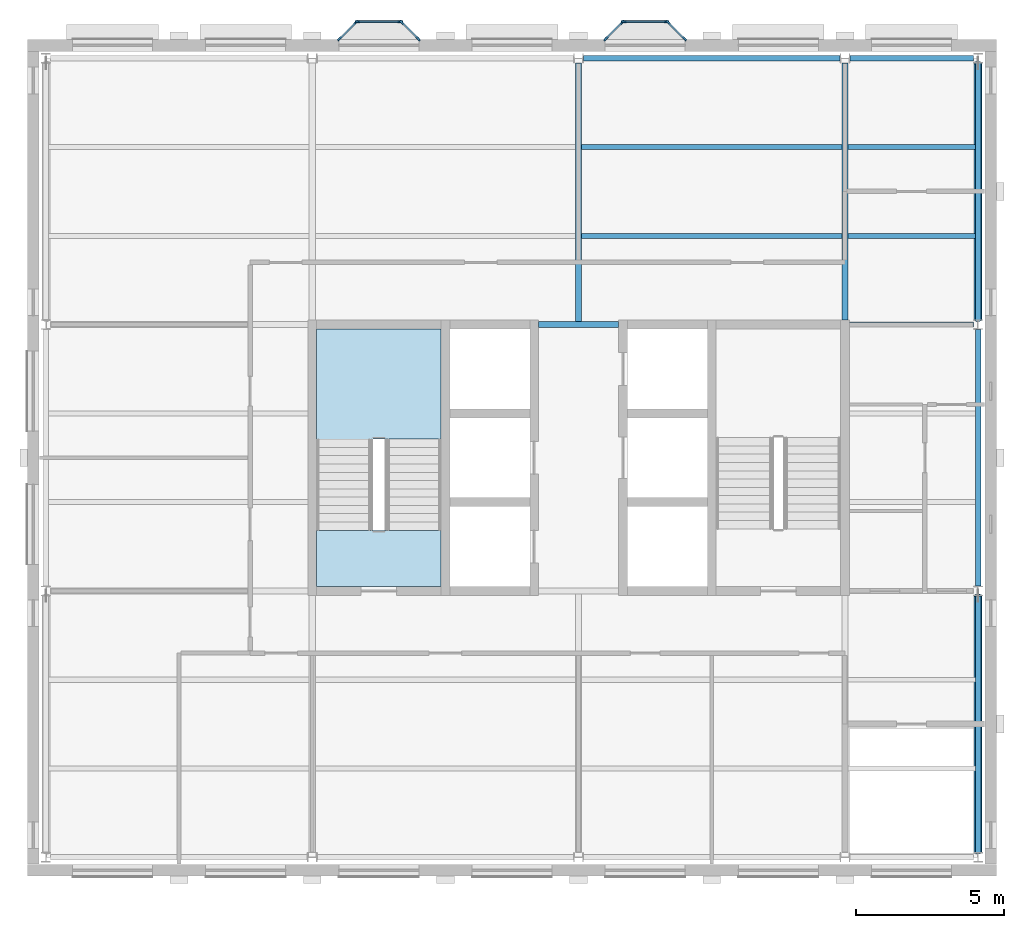
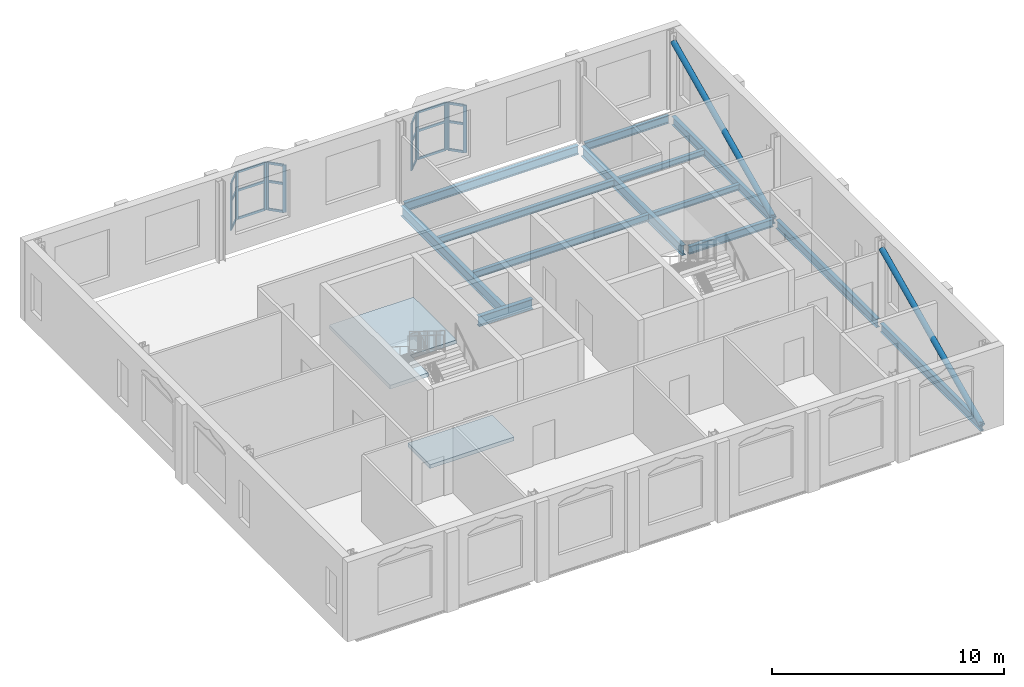
# One storey, part 2 of 9: 32 members, 13 beams, 2 slabs, 7 elements without a shape of their own.
"""IFC4 building model written with IfcOpenShell, lengths in metres."""

import ifcopenshell
import ifcopenshell.guid

model = None  # the IFC model being written
_history = None  # IfcOwnerHistory: only IFC2X3 demands one
_inside = {}  # id of a spatial element -> (the spatial element, [elements in it])
_under = {}  # id of a project, library or spatial element -> (it, [spatial elements below it])
_declared = {}  # id of a project -> (the project, [libraries it declares])
_typed = {}  # id of a type object -> (the type object, [elements of that type])
_made_of = {}  # id of a material, layer set ... -> (it, [elements and type objects made of it])


def new_model(schema):
    """Start an empty IFC model of exactly this schema.

    Asked for "IFC4X3", IfcOpenShell would pick the latest addendum, in which some entities
    have other attributes; the version numbers below select the first issue.
    IFC2X3 requires an IfcOwnerHistory on every rooted entity: one is made here for all.
    """
    global model, _history
    if schema == "IFC4X3":
        model = ifcopenshell.file(schema_version=(4, 3, 0, 0))
    else:
        model = ifcopenshell.file(schema=schema)
    _inside.clear()
    _under.clear()
    _declared.clear()
    _typed.clear()
    _made_of.clear()
    _history = None
    if model.schema == "IFC2X3":
        org = make("IfcOrganization", Name="unknown")
        user = make(
            "IfcPersonAndOrganization",
            ThePerson=make("IfcPerson", FamilyName="unknown"),
            TheOrganization=org,
        )
        app = make(
            "IfcApplication",
            ApplicationDeveloper=org,
            Version="unknown",
            ApplicationFullName="unknown",
            ApplicationIdentifier="unknown",
        )
        _history = make(
            "IfcOwnerHistory",
            OwningUser=user,
            OwningApplication=app,
            ChangeAction="ADDED",
            CreationDate=0,
        )
    return model


def make(cls, **values):
    """One entity of the class cls with the attributes given. An attribute that is None is left unset."""
    return model.create_entity(
        cls, **{name: value for name, value in values.items() if value is not None}
    )


def rooted(cls, **values):
    """An entity with a GlobalId (a new one), such as an element, a storey or a relation."""
    return make(cls, GlobalId=ifcopenshell.guid.new(), OwnerHistory=_history, **values)


def si_unit(unit_type, name, prefix=None):
    """IfcSIUnit, for example si_unit("LENGTHUNIT", "METRE", prefix="MILLI")."""
    return make("IfcSIUnit", UnitType=unit_type, Prefix=prefix, Name=name)


def assignment(units):
    """IfcUnitAssignment: the units of a project."""
    return None if units is None else make("IfcUnitAssignment", Units=units)


def point(xyz):
    """IfcCartesianPoint."""
    return None if xyz is None else make("IfcCartesianPoint", Coordinates=xyz)


def direction(xyz):
    """IfcDirection."""
    return None if xyz is None else make("IfcDirection", DirectionRatios=xyz)


def frame(location, z_axis=None, x_axis=None):
    """IfcAxis2Placement3D, a coordinate frame: its origin and axes. An axis left out is left unset."""
    return make(
        "IfcAxis2Placement3D",
        Location=point(location),
        Axis=direction(z_axis),
        RefDirection=direction(x_axis),
    )


def frame_2d(location, x_axis=None):
    """IfcAxis2Placement2D, a coordinate frame in the plane: its origin and x axis."""
    return make(
        "IfcAxis2Placement2D", Location=point(location), RefDirection=direction(x_axis)
    )


def origin():
    """The frame at (0, 0, 0) with its axes left unset."""
    return frame((0.0, 0.0, 0.0))


def origin_2d():
    """The frame at (0, 0) in the plane with its x axis left unset."""
    return frame_2d((0.0, 0.0))


def place(relative_to, where):
    """IfcLocalPlacement: puts the frame where relative to a parent placement (None: the world)."""
    return make(
        "IfcLocalPlacement", PlacementRelTo=relative_to, RelativePlacement=where
    )


def context(
    kind, dimensions, precision=None, world=None, true_north=None, identifier=None
):
    """IfcGeometricRepresentationContext, for example the 3D "Model" context."""
    return make(
        "IfcGeometricRepresentationContext",
        ContextIdentifier=identifier,
        ContextType=kind,
        CoordinateSpaceDimension=dimensions,
        Precision=precision,
        WorldCoordinateSystem=world,
        TrueNorth=true_north,
    )


def subcontext(parent, identifier, kind, view, scale=None):
    """IfcGeometricRepresentationSubContext, for example "Body" below "Model"."""
    return make(
        "IfcGeometricRepresentationSubContext",
        ContextIdentifier=identifier,
        ContextType=kind,
        ParentContext=parent,
        TargetScale=scale,
        TargetView=view,
    )


def project(units=None, contexts=None):
    """IfcProject with its units and contexts."""
    return rooted(
        "IfcProject",
        Name="project",
        RepresentationContexts=contexts,
        UnitsInContext=assignment(units),
    )


def spatial(cls, under=None, at=None, **own):
    """A site, building, storey or space (cls), placed at a placement, below another one or the project."""
    s = rooted(cls, ObjectPlacement=at, **own)
    if under is not None:
        _under.setdefault(under.id(), (under, []))[1].append(s)
    return s


def polyline(points):
    """IfcPolyline through the points."""
    return make("IfcPolyline", Points=[point(p) for p in points])


def profile(cls, at=None, kind="AREA", **sizes):
    """A parametric profile (cls). Its sizes go by their IFC names, for example OverallWidth=200.0."""
    return make(cls, ProfileType=kind, Position=at, **sizes)


def rectangle(**sizes):
    """IfcRectangleProfileDef."""
    return profile("IfcRectangleProfileDef", **sizes)


def hollow_circle(**sizes):
    """IfcCircleHollowProfileDef."""
    return profile("IfcCircleHollowProfileDef", **sizes)


def i_section(**sizes):
    """IfcIShapeProfileDef."""
    return profile("IfcIShapeProfileDef", **sizes)


def outline(outer, holes=None, kind="AREA"):
    """IfcArbitraryClosedProfileDef: a profile drawn as a closed curve; with holes, ...WithVoids."""
    if holes is None:
        return make("IfcArbitraryClosedProfileDef", ProfileType=kind, OuterCurve=outer)
    return make(
        "IfcArbitraryProfileDefWithVoids",
        ProfileType=kind,
        OuterCurve=outer,
        InnerCurves=holes,
    )


def extrude(swept, where, along, depth):
    """IfcExtrudedAreaSolid: the profile swept, set in the frame where, extruded along a direction by depth."""
    return make(
        "IfcExtrudedAreaSolid",
        SweptArea=swept,
        Position=where,
        ExtrudedDirection=direction(along),
        Depth=depth,
    )


def shape(context_of_items, identifier, shape_type, items):
    """IfcShapeRepresentation: the items that make up one representation, for example the "Body"."""
    return make(
        "IfcShapeRepresentation",
        ContextOfItems=context_of_items,
        RepresentationIdentifier=identifier,
        RepresentationType=shape_type,
        Items=items,
    )


def material(Name=None, Category=None):
    """IfcMaterial."""
    return make("IfcMaterial", Name=Name, Category=Category)


def layer(
    of_material, thickness, ventilated=None, Name=None, Category=None, Priority=None
):
    """IfcMaterialLayer: one layer of a wall or slab, of a material (None: an air gap)."""
    return make(
        "IfcMaterialLayer",
        Material=of_material,
        LayerThickness=thickness,
        IsVentilated=ventilated,
        Name=Name,
        Category=Category,
        Priority=Priority,
    )


def layer_set(layers, Name=None):
    """IfcMaterialLayerSet."""
    return make("IfcMaterialLayerSet", MaterialLayers=layers, LayerSetName=Name)


def material_profile(
    of_material, cross_section, Name=None, Category=None, Priority=None
):
    """IfcMaterialProfile: a cross section and its material."""
    return make(
        "IfcMaterialProfile",
        Name=Name,
        Material=of_material,
        Profile=cross_section,
        Priority=Priority,
        Category=Category,
    )


def profile_set(profiles, Name=None, composite=None):
    """IfcMaterialProfileSet."""
    return make(
        "IfcMaterialProfileSet",
        Name=Name,
        MaterialProfiles=profiles,
        CompositeProfile=composite,
    )


def made_of(thing, what):
    """Note that an element or type object is made of a material, layer set ...; save() writes the relation."""
    if what is not None:
        _made_of.setdefault(what.id(), (what, []))[1].append(thing)
    return thing


def type_object(cls, material=None, **own):
    """A type object (cls), such as IfcWallType, which elements share."""
    return made_of(rooted(cls, **own), material)


def element(
    cls,
    number,
    at=None,
    inside=None,
    cuts=None,
    type_object=None,
    material=None,
    context=None,
    identifier="Body",
    shape_type=None,
    held_by="IfcProductDefinitionShape",
    body=None,
    shapes=None,
    **own,
):
    """One element of the class cls, such as IfcWall. Its Tag is "e" and its number.

    at: its placement. inside: the storey or other place that contains it. cuts: it is an
    opening in that element (IfcRelVoidsElement). A single representation is given by context,
    identifier, shape_type and body (its items); several are given by shapes. held_by: the class
    of the entity that holds the representations. save() writes the other relations.
    """
    e = rooted(cls, Tag="e%d" % number, ObjectPlacement=at, **own)
    if body is not None:
        shapes = [shape(context, identifier, shape_type, body)]
    if shapes is not None:
        e.Representation = make(held_by, Representations=shapes)
    if inside is not None:
        _inside.setdefault(inside.id(), (inside, []))[1].append(e)
    if cuts is not None:
        rooted(
            "IfcRelVoidsElement", RelatingBuildingElement=cuts, RelatedOpeningElement=e
        )
    if type_object is not None:
        _typed.setdefault(type_object.id(), (type_object, []))[1].append(e)
    return made_of(e, material)


def aggregate(whole, parts):
    """IfcRelAggregates: a whole, such as a stair, and the parts it consists of."""
    return rooted("IfcRelAggregates", RelatingObject=whole, RelatedObjects=parts)


def save(model, path):
    """Write the relations noted so far, then the file.

    IfcRelAggregates (storeys below a building ...), IfcRelContainedInSpatialStructure (elements
    in a storey), IfcRelDefinesByType, IfcRelAssociatesMaterial and IfcRelDeclares: one each for
    every whole, place, type object, material and project.
    """
    for whole, parts in _under.values():
        aggregate(whole, parts)
    for where, things in _inside.values():
        rooted(
            "IfcRelContainedInSpatialStructure",
            RelatedElements=things,
            RelatingStructure=where,
        )
    for kind, things in _typed.values():
        rooted("IfcRelDefinesByType", RelatedObjects=things, RelatingType=kind)
    for what, things in _made_of.values():
        rooted("IfcRelAssociatesMaterial", RelatedObjects=things, RelatingMaterial=what)
    for by, libraries in _declared.values():
        rooted("IfcRelDeclares", RelatingContext=by, RelatedDefinitions=libraries)
    model.write(path)


model = new_model("IFC4")

# Units and contexts
model_context = context("Model", 3, precision=1e-05, world=origin(), true_north=direction((0.0, 1.0)))
body_context = subcontext(model_context, "Body", "Model", "MODEL_VIEW")
ifc_project = project(units=[si_unit("LENGTHUNIT", "METRE"), si_unit("AREAUNIT", "SQUARE_METRE"), si_unit("VOLUMEUNIT", "CUBIC_METRE"), si_unit("PLANEANGLEUNIT", "RADIAN"), si_unit("MASSUNIT", "GRAM", prefix="KILO")], contexts=[model_context])

# Site, building, storey
site_placement = place(None, origin())
site = spatial("IfcSite", under=ifc_project, at=site_placement, CompositionType="ELEMENT")
building_placement = place(site_placement, origin())
building = spatial("IfcBuilding", under=site, at=building_placement, Name="Hortulan Conservatory and Botanical Research Centre", CompositionType="ELEMENT")
storey_placement = place(building_placement, frame((0.0, 0.0, 40.199951171875)))
storey = spatial("IfcBuildingStorey", under=building, at=storey_placement, Name="L09", CompositionType="ELEMENT", Elevation=40.199951171875)

# Members
ifc_material_1 = material(Name="Steel Grade C350L0 (350 MPa, AS/NZS 1163)", Category="steel")
ifc_material_profile_1 = material_profile(ifc_material_1, hollow_circle(Radius=0.136474609375, WallThickness=0.00927734375, at=origin_2d()), Name="273.1x9.3CHS")
ifc_profile_set_1 = profile_set([ifc_material_profile_1], Name="Steel Grade C350L0 (350 MPa, AS/NZS 1163)")
member_type_1 = type_object("IfcMemberType", Name="Brace 273.1x9.3CHS", PredefinedType="BRACE", material=ifc_profile_set_1)
for number, where, z_axis, x_axis, name in (
    (1, (31.5, 0.16357421875, -0.28369140625), (0.0, 0.906181836611, 0.422888258286), (-1.0, 0.0, 0.0), "273.1x9.3CHS brace"),
    (2, (31.5, 18.16357421875, -0.28369140625), (0.0, 0.906181836611, 0.422888258286), (-1.0, 0.0, 0.0), "273.1x9.3CHS brace"),
):
    element("IfcMember", number, at=place(storey_placement, frame(where, z_axis=z_axis, x_axis=x_axis)), inside=storey, type_object=member_type_1, Name=name, PredefinedType="BRACE", context=body_context, shape_type="SweptSolid", body=[
        extrude(hollow_circle(Radius=0.136474609375, WallThickness=0.00927734375, at=origin_2d()), origin(), (0.0, 0.0, 1.0), 9.57080078125),
    ])

# Curtain wall, members
ifc_material_2 = material(Name="Bronze-finished aluminium", Category="aluminium")
ifc_layer_1 = layer(ifc_material_2, 0.10009765625)
ifc_layer_set_1 = layer_set([ifc_layer_1], Name="Oriel Curtain Wall 1350 module")
curtain_wall_type = type_object("IfcCurtainWallType", Name="Oriel Curtain Wall 1350 module", PredefinedType="NOTDEFINED", material=ifc_layer_set_1)
curtain_wall_1_placement = place(storey_placement, origin())
curtain_wall_1 = element("IfcCurtainWall", 3, at=curtain_wall_1_placement, inside=storey, type_object=curtain_wall_type, Name="Oriel glazing", PredefinedType="NOTDEFINED")
ifc_material_profile_2 = material_profile(ifc_material_2, rectangle(XDim=0.06005859375, YDim=0.159912109375, at=origin_2d()), Name="Bronze Mullion 60x160")
ifc_profile_set_2 = profile_set([ifc_material_profile_2], Name="Bronze-finished aluminium")
member_type_2 = type_object("IfcMemberType", Name="Bronze Mullion 60x160", PredefinedType="MULLION", material=ifc_profile_set_2)
member_1_placement = place(storey_placement, frame((9.921142578125, 27.6572265625, 0.900146484375), z_axis=(0.0, 0.0, 1.0), x_axis=(-0.707106781187, 0.707106781187, 0.0)))
member_1 = element("IfcMember", 4, at=member_1_placement, type_object=member_type_2, Name="CW2 mullion 1", PredefinedType="MULLION", context=body_context, shape_type="SweptSolid", body=[
    extrude(rectangle(XDim=0.06005859375, YDim=0.159912109375, at=origin_2d()), origin(), (0.0, 0.0, 1.0), 2.5),
])
member_2_placement = place(storey_placement, frame((10.478759765625, 28.21484375, 0.900146484375), z_axis=(0.0, 0.0, 1.0), x_axis=(-0.707106781187, 0.707106781187, 0.0)))
member_2 = element("IfcMember", 5, at=member_2_placement, type_object=member_type_2, Name="CW2 mullion 2", PredefinedType="MULLION", context=body_context, shape_type="SweptSolid", body=[
    extrude(rectangle(XDim=0.06005859375, YDim=0.159912109375, at=origin_2d()), origin(), (0.0, 0.0, 1.0), 2.5),
])

curtain_wall_2_placement = place(storey_placement, origin())
curtain_wall_2 = element("IfcCurtainWall", 6, at=curtain_wall_2_placement, inside=storey, type_object=curtain_wall_type, Name="Oriel glazing", PredefinedType="NOTDEFINED")
member_3_placement = place(storey_placement, frame((10.530029296875, 28.236083984375, 0.900146484375), z_axis=(0.0, 0.0, 1.0), x_axis=(0.0, 1.0, 0.0)))
member_3 = element("IfcMember", 7, at=member_3_placement, type_object=member_type_2, Name="CW2 mullion 1", PredefinedType="MULLION", context=body_context, shape_type="SweptSolid", body=[
    extrude(rectangle(XDim=0.06005859375, YDim=0.159912109375, at=origin_2d()), origin(), (0.0, 0.0, 1.0), 2.5),
])
member_4_placement = place(storey_placement, frame((11.969970703125, 28.236083984375, 0.900146484375), z_axis=(0.0, 0.0, 1.0), x_axis=(0.0, 1.0, 0.0)))
member_4 = element("IfcMember", 8, at=member_4_placement, type_object=member_type_2, Name="CW2 mullion 2", PredefinedType="MULLION", context=body_context, shape_type="SweptSolid", body=[
    extrude(rectangle(XDim=0.06005859375, YDim=0.159912109375, at=origin_2d()), origin(), (0.0, 0.0, 1.0), 2.5),
])

curtain_wall_3_placement = place(storey_placement, origin())
curtain_wall_3 = element("IfcCurtainWall", 9, at=curtain_wall_3_placement, inside=storey, type_object=curtain_wall_type, Name="Oriel glazing", PredefinedType="NOTDEFINED")
member_5_placement = place(storey_placement, frame((12.021240234375, 28.21484375, 0.900146484375), z_axis=(0.0, 0.0, 1.0), x_axis=(0.707106781187, 0.707106781187, 0.0)))
member_5 = element("IfcMember", 10, at=member_5_placement, type_object=member_type_2, Name="CW2 mullion 1", PredefinedType="MULLION", context=body_context, shape_type="SweptSolid", body=[
    extrude(rectangle(XDim=0.06005859375, YDim=0.159912109375, at=origin_2d()), origin(), (0.0, 0.0, 1.0), 2.5),
])
member_6_placement = place(storey_placement, frame((12.578857421875, 27.6572265625, 0.900146484375), z_axis=(0.0, 0.0, 1.0), x_axis=(0.707106781187, 0.707106781187, 0.0)))
member_6 = element("IfcMember", 11, at=member_6_placement, type_object=member_type_2, Name="CW2 mullion 2", PredefinedType="MULLION", context=body_context, shape_type="SweptSolid", body=[
    extrude(rectangle(XDim=0.06005859375, YDim=0.159912109375, at=origin_2d()), origin(), (0.0, 0.0, 1.0), 2.5),
])

curtain_wall_4_placement = place(storey_placement, origin())
curtain_wall_4 = element("IfcCurtainWall", 12, at=curtain_wall_4_placement, inside=storey, type_object=curtain_wall_type, Name="Oriel glazing", PredefinedType="NOTDEFINED")
member_7_placement = place(storey_placement, frame((18.921142578125, 27.6572265625, 0.900146484375), z_axis=(0.0, 0.0, 1.0), x_axis=(-0.707106781187, 0.707106781187, 0.0)))
member_7 = element("IfcMember", 13, at=member_7_placement, type_object=member_type_2, Name="CW2 mullion 1", PredefinedType="MULLION", context=body_context, shape_type="SweptSolid", body=[
    extrude(rectangle(XDim=0.06005859375, YDim=0.159912109375, at=origin_2d()), origin(), (0.0, 0.0, 1.0), 2.5),
])
member_8_placement = place(storey_placement, frame((19.478759765625, 28.21484375, 0.900146484375), z_axis=(0.0, 0.0, 1.0), x_axis=(-0.707106781187, 0.707106781187, 0.0)))
member_8 = element("IfcMember", 14, at=member_8_placement, type_object=member_type_2, Name="CW2 mullion 2", PredefinedType="MULLION", context=body_context, shape_type="SweptSolid", body=[
    extrude(rectangle(XDim=0.06005859375, YDim=0.159912109375, at=origin_2d()), origin(), (0.0, 0.0, 1.0), 2.5),
])

curtain_wall_5_placement = place(storey_placement, origin())
curtain_wall_5 = element("IfcCurtainWall", 15, at=curtain_wall_5_placement, inside=storey, type_object=curtain_wall_type, Name="Oriel glazing", PredefinedType="NOTDEFINED")
member_9_placement = place(storey_placement, frame((19.530029296875, 28.236083984375, 0.900146484375), z_axis=(0.0, 0.0, 1.0), x_axis=(0.0, 1.0, 0.0)))
member_9 = element("IfcMember", 16, at=member_9_placement, type_object=member_type_2, Name="CW2 mullion 1", PredefinedType="MULLION", context=body_context, shape_type="SweptSolid", body=[
    extrude(rectangle(XDim=0.06005859375, YDim=0.159912109375, at=origin_2d()), origin(), (0.0, 0.0, 1.0), 2.5),
])
member_10_placement = place(storey_placement, frame((20.969970703125, 28.236083984375, 0.900146484375), z_axis=(0.0, 0.0, 1.0), x_axis=(0.0, 1.0, 0.0)))
member_10 = element("IfcMember", 17, at=member_10_placement, type_object=member_type_2, Name="CW2 mullion 2", PredefinedType="MULLION", context=body_context, shape_type="SweptSolid", body=[
    extrude(rectangle(XDim=0.06005859375, YDim=0.159912109375, at=origin_2d()), origin(), (0.0, 0.0, 1.0), 2.5),
])

curtain_wall_6_placement = place(storey_placement, origin())
curtain_wall_6 = element("IfcCurtainWall", 18, at=curtain_wall_6_placement, inside=storey, type_object=curtain_wall_type, Name="Oriel glazing", PredefinedType="NOTDEFINED")
member_11_placement = place(storey_placement, frame((21.021240234375, 28.21484375, 0.900146484375), z_axis=(0.0, 0.0, 1.0), x_axis=(0.707106781187, 0.707106781187, 0.0)))
member_11 = element("IfcMember", 19, at=member_11_placement, type_object=member_type_2, Name="CW2 mullion 1", PredefinedType="MULLION", context=body_context, shape_type="SweptSolid", body=[
    extrude(rectangle(XDim=0.06005859375, YDim=0.159912109375, at=origin_2d()), origin(), (0.0, 0.0, 1.0), 2.5),
])
member_12_placement = place(storey_placement, frame((21.578857421875, 27.6572265625, 0.900146484375), z_axis=(0.0, 0.0, 1.0), x_axis=(0.707106781187, 0.707106781187, 0.0)))
member_12 = element("IfcMember", 20, at=member_12_placement, type_object=member_type_2, Name="CW2 mullion 2", PredefinedType="MULLION", context=body_context, shape_type="SweptSolid", body=[
    extrude(rectangle(XDim=0.06005859375, YDim=0.159912109375, at=origin_2d()), origin(), (0.0, 0.0, 1.0), 2.5),
])

# Member
ifc_material_profile_3 = material_profile(ifc_material_2, rectangle(XDim=0.06005859375, YDim=0.1201171875, at=origin_2d()), Name="Bronze Transom 60x120")
ifc_profile_set_3 = profile_set([ifc_material_profile_3], Name="Bronze-finished aluminium")
member_type_3 = type_object("IfcMemberType", Name="Bronze Transom 60x120", PredefinedType="USERDEFINED", material=ifc_profile_set_3)
member_13_placement = place(storey_placement, frame((9.9423828125, 27.678466796875, 0.929931640625), z_axis=(0.707106781187, 0.707106781187, 0.0), x_axis=(-0.707106781187, 0.707106781187, 0.0)))
member_13 = element("IfcMember", 21, at=member_13_placement, type_object=member_type_3, Name="CW2 transom 1.1", ObjectType="TRANSOM", PredefinedType="USERDEFINED", context=body_context, shape_type="SweptSolid", body=[
    extrude(rectangle(XDim=0.06005859375, YDim=0.1201171875, at=origin_2d()), origin(), (0.0, 0.0, 1.0), 0.728515625),
])

member_14_placement = place(storey_placement, frame((9.9423828125, 27.678466796875, 2.400146484375), z_axis=(0.707106781187, 0.707106781187, 0.0), x_axis=(-0.707106781187, 0.707106781187, 0.0)))
member_14 = element("IfcMember", 22, at=member_14_placement, type_object=member_type_3, Name="CW2 transom 1.2", ObjectType="TRANSOM", PredefinedType="USERDEFINED", context=body_context, shape_type="SweptSolid", body=[
    extrude(rectangle(XDim=0.06005859375, YDim=0.1201171875, at=origin_2d()), origin(), (0.0, 0.0, 1.0), 0.728515625),
])

member_15_placement = place(storey_placement, frame((9.9423828125, 27.678466796875, 3.3701171875), z_axis=(0.707106781187, 0.707106781187, 0.0), x_axis=(-0.707106781187, 0.707106781187, 0.0)))
member_15 = element("IfcMember", 23, at=member_15_placement, type_object=member_type_3, Name="CW2 transom 1.3", ObjectType="TRANSOM", PredefinedType="USERDEFINED", context=body_context, shape_type="SweptSolid", body=[
    extrude(rectangle(XDim=0.06005859375, YDim=0.1201171875, at=origin_2d()), origin(), (0.0, 0.0, 1.0), 0.728515625),
])

aggregate(curtain_wall_1, [member_1, member_2, member_13, member_14, member_15])

member_16_placement = place(storey_placement, frame((10.56005859375, 28.236083984375, 0.929931640625), z_axis=(1.0, 0.0, 0.0), x_axis=(0.0, 1.0, 0.0)))
member_16 = element("IfcMember", 24, at=member_16_placement, type_object=member_type_3, Name="CW2 transom 1.1", ObjectType="TRANSOM", PredefinedType="USERDEFINED", context=body_context, shape_type="SweptSolid", body=[
    extrude(rectangle(XDim=0.06005859375, YDim=0.1201171875, at=origin_2d()), origin(), (0.0, 0.0, 1.0), 1.3798828125),
])

member_17_placement = place(storey_placement, frame((10.56005859375, 28.236083984375, 2.400146484375), z_axis=(1.0, 0.0, 0.0), x_axis=(0.0, 1.0, 0.0)))
member_17 = element("IfcMember", 25, at=member_17_placement, type_object=member_type_3, Name="CW2 transom 1.2", ObjectType="TRANSOM", PredefinedType="USERDEFINED", context=body_context, shape_type="SweptSolid", body=[
    extrude(rectangle(XDim=0.06005859375, YDim=0.1201171875, at=origin_2d()), origin(), (0.0, 0.0, 1.0), 1.3798828125),
])

member_18_placement = place(storey_placement, frame((10.56005859375, 28.236083984375, 3.3701171875), z_axis=(1.0, 0.0, 0.0), x_axis=(0.0, 1.0, 0.0)))
member_18 = element("IfcMember", 26, at=member_18_placement, type_object=member_type_3, Name="CW2 transom 1.3", ObjectType="TRANSOM", PredefinedType="USERDEFINED", context=body_context, shape_type="SweptSolid", body=[
    extrude(rectangle(XDim=0.06005859375, YDim=0.1201171875, at=origin_2d()), origin(), (0.0, 0.0, 1.0), 1.3798828125),
])

aggregate(curtain_wall_2, [member_3, member_4, member_16, member_17, member_18])

member_19_placement = place(storey_placement, frame((12.04248046875, 28.193603515625, 0.929931640625), z_axis=(0.707106781187, -0.707106781187, 0.0), x_axis=(0.707106781187, 0.707106781187, 0.0)))
member_19 = element("IfcMember", 27, at=member_19_placement, type_object=member_type_3, Name="CW2 transom 1.1", ObjectType="TRANSOM", PredefinedType="USERDEFINED", context=body_context, shape_type="SweptSolid", body=[
    extrude(rectangle(XDim=0.06005859375, YDim=0.1201171875, at=origin_2d()), origin(), (0.0, 0.0, 1.0), 0.728515625),
])

member_20_placement = place(storey_placement, frame((12.04248046875, 28.193603515625, 2.400146484375), z_axis=(0.707106781187, -0.707106781187, 0.0), x_axis=(0.707106781187, 0.707106781187, 0.0)))
member_20 = element("IfcMember", 28, at=member_20_placement, type_object=member_type_3, Name="CW2 transom 1.2", ObjectType="TRANSOM", PredefinedType="USERDEFINED", context=body_context, shape_type="SweptSolid", body=[
    extrude(rectangle(XDim=0.06005859375, YDim=0.1201171875, at=origin_2d()), origin(), (0.0, 0.0, 1.0), 0.728515625),
])

member_21_placement = place(storey_placement, frame((12.04248046875, 28.193603515625, 3.3701171875), z_axis=(0.707106781187, -0.707106781187, 0.0), x_axis=(0.707106781187, 0.707106781187, 0.0)))
member_21 = element("IfcMember", 29, at=member_21_placement, type_object=member_type_3, Name="CW2 transom 1.3", ObjectType="TRANSOM", PredefinedType="USERDEFINED", context=body_context, shape_type="SweptSolid", body=[
    extrude(rectangle(XDim=0.06005859375, YDim=0.1201171875, at=origin_2d()), origin(), (0.0, 0.0, 1.0), 0.728515625),
])

aggregate(curtain_wall_3, [member_5, member_6, member_19, member_20, member_21])

member_22_placement = place(storey_placement, frame((18.9423828125, 27.678466796875, 0.929931640625), z_axis=(0.707106781187, 0.707106781187, 0.0), x_axis=(-0.707106781187, 0.707106781187, 0.0)))
member_22 = element("IfcMember", 30, at=member_22_placement, type_object=member_type_3, Name="CW2 transom 1.1", ObjectType="TRANSOM", PredefinedType="USERDEFINED", context=body_context, shape_type="SweptSolid", body=[
    extrude(rectangle(XDim=0.06005859375, YDim=0.1201171875, at=origin_2d()), origin(), (0.0, 0.0, 1.0), 0.728515625),
])

member_23_placement = place(storey_placement, frame((18.9423828125, 27.678466796875, 2.400146484375), z_axis=(0.707106781187, 0.707106781187, 0.0), x_axis=(-0.707106781187, 0.707106781187, 0.0)))
member_23 = element("IfcMember", 31, at=member_23_placement, type_object=member_type_3, Name="CW2 transom 1.2", ObjectType="TRANSOM", PredefinedType="USERDEFINED", context=body_context, shape_type="SweptSolid", body=[
    extrude(rectangle(XDim=0.06005859375, YDim=0.1201171875, at=origin_2d()), origin(), (0.0, 0.0, 1.0), 0.728515625),
])

member_24_placement = place(storey_placement, frame((18.9423828125, 27.678466796875, 3.3701171875), z_axis=(0.707106781187, 0.707106781187, 0.0), x_axis=(-0.707106781187, 0.707106781187, 0.0)))
member_24 = element("IfcMember", 32, at=member_24_placement, type_object=member_type_3, Name="CW2 transom 1.3", ObjectType="TRANSOM", PredefinedType="USERDEFINED", context=body_context, shape_type="SweptSolid", body=[
    extrude(rectangle(XDim=0.06005859375, YDim=0.1201171875, at=origin_2d()), origin(), (0.0, 0.0, 1.0), 0.728515625),
])

aggregate(curtain_wall_4, [member_7, member_8, member_22, member_23, member_24])

member_25_placement = place(storey_placement, frame((19.56005859375, 28.236083984375, 0.929931640625), z_axis=(1.0, 0.0, 0.0), x_axis=(0.0, 1.0, 0.0)))
member_25 = element("IfcMember", 33, at=member_25_placement, type_object=member_type_3, Name="CW2 transom 1.1", ObjectType="TRANSOM", PredefinedType="USERDEFINED", context=body_context, shape_type="SweptSolid", body=[
    extrude(rectangle(XDim=0.06005859375, YDim=0.1201171875, at=origin_2d()), origin(), (0.0, 0.0, 1.0), 1.3798828125),
])

member_26_placement = place(storey_placement, frame((19.56005859375, 28.236083984375, 2.400146484375), z_axis=(1.0, 0.0, 0.0), x_axis=(0.0, 1.0, 0.0)))
member_26 = element("IfcMember", 34, at=member_26_placement, type_object=member_type_3, Name="CW2 transom 1.2", ObjectType="TRANSOM", PredefinedType="USERDEFINED", context=body_context, shape_type="SweptSolid", body=[
    extrude(rectangle(XDim=0.06005859375, YDim=0.1201171875, at=origin_2d()), origin(), (0.0, 0.0, 1.0), 1.3798828125),
])

member_27_placement = place(storey_placement, frame((19.56005859375, 28.236083984375, 3.3701171875), z_axis=(1.0, 0.0, 0.0), x_axis=(0.0, 1.0, 0.0)))
member_27 = element("IfcMember", 35, at=member_27_placement, type_object=member_type_3, Name="CW2 transom 1.3", ObjectType="TRANSOM", PredefinedType="USERDEFINED", context=body_context, shape_type="SweptSolid", body=[
    extrude(rectangle(XDim=0.06005859375, YDim=0.1201171875, at=origin_2d()), origin(), (0.0, 0.0, 1.0), 1.3798828125),
])

aggregate(curtain_wall_5, [member_9, member_10, member_25, member_26, member_27])

member_28_placement = place(storey_placement, frame((21.04248046875, 28.193603515625, 0.929931640625), z_axis=(0.707106781187, -0.707106781187, 0.0), x_axis=(0.707106781187, 0.707106781187, 0.0)))
member_28 = element("IfcMember", 36, at=member_28_placement, type_object=member_type_3, Name="CW2 transom 1.1", ObjectType="TRANSOM", PredefinedType="USERDEFINED", context=body_context, shape_type="SweptSolid", body=[
    extrude(rectangle(XDim=0.06005859375, YDim=0.1201171875, at=origin_2d()), origin(), (0.0, 0.0, 1.0), 0.728515625),
])

member_29_placement = place(storey_placement, frame((21.04248046875, 28.193603515625, 2.400146484375), z_axis=(0.707106781187, -0.707106781187, 0.0), x_axis=(0.707106781187, 0.707106781187, 0.0)))
member_29 = element("IfcMember", 37, at=member_29_placement, type_object=member_type_3, Name="CW2 transom 1.2", ObjectType="TRANSOM", PredefinedType="USERDEFINED", context=body_context, shape_type="SweptSolid", body=[
    extrude(rectangle(XDim=0.06005859375, YDim=0.1201171875, at=origin_2d()), origin(), (0.0, 0.0, 1.0), 0.728515625),
])

member_30_placement = place(storey_placement, frame((21.04248046875, 28.193603515625, 3.3701171875), z_axis=(0.707106781187, -0.707106781187, 0.0), x_axis=(0.707106781187, 0.707106781187, 0.0)))
member_30 = element("IfcMember", 38, at=member_30_placement, type_object=member_type_3, Name="CW2 transom 1.3", ObjectType="TRANSOM", PredefinedType="USERDEFINED", context=body_context, shape_type="SweptSolid", body=[
    extrude(rectangle(XDim=0.06005859375, YDim=0.1201171875, at=origin_2d()), origin(), (0.0, 0.0, 1.0), 0.728515625),
])

aggregate(curtain_wall_6, [member_11, member_12, member_28, member_29, member_30])

# Beams
ifc_material_3 = material(Name="Steel Grade 300PLUS (AS/NZS 3679.1, 280 MPa minimum yield)", Category="steel")
ifc_material_profile_4 = material_profile(ifc_material_3, i_section(OverallWidth=0.177978515625, OverallDepth=0.403076171875, WebThickness=0.007568359375, FlangeThickness=0.010986328125, FilletRadius=0.011474609375, at=origin_2d()), Name="410UB53.7")
ifc_profile_set_4 = profile_set([ifc_material_profile_4], Name="Steel Grade 300PLUS (AS/NZS 3679.1, 280 MPa minimum yield)")
beam_type_1 = type_object("IfcBeamType", Name="Primary Beam 410UB53.7", PredefinedType="BEAM", material=ifc_profile_set_4)
beam_1_placement = place(storey_placement, frame((27.16357421875, 27.0, -0.33154296875), z_axis=(1.0, 0.0, 0.0), x_axis=(0.0, 1.0, 0.0)))
element("IfcBeam", 39, at=beam_1_placement, inside=storey, type_object=beam_type_1, Name="410UB53.7 girder", PredefinedType="BEAM", context=body_context, shape_type="SweptSolid", body=[
    extrude(i_section(OverallWidth=0.177978515625, OverallDepth=0.403076171875, WebThickness=0.007568359375, FlangeThickness=0.010986328125, FilletRadius=0.011474609375, at=origin_2d()), origin(), (0.0, 0.0, 1.0), 4.180908203125),
])
beam_2_placement = place(storey_placement, frame((27.14990234375, 18.0, -0.33154296875), z_axis=(1.0, 0.0, 0.0), x_axis=(0.0, 1.0, 0.0)))
element("IfcBeam", 40, at=beam_2_placement, inside=storey, type_object=beam_type_1, Name="410UB53.7 girder", PredefinedType="BEAM", context=body_context, shape_type="SweptSolid", body=[
    extrude(i_section(OverallWidth=0.177978515625, OverallDepth=0.403076171875, WebThickness=0.007568359375, FlangeThickness=0.010986328125, FilletRadius=0.011474609375, at=origin_2d()), origin(), (0.0, 0.0, 1.0), 4.194580078125),
])
ifc_material_profile_5 = material_profile(ifc_material_3, i_section(OverallWidth=0.19091796875, OverallDepth=0.4599609375, WebThickness=0.010009765625, FlangeThickness=0.01611328125, FilletRadius=0.011474609375, at=origin_2d()), Name="460UB82.1")
ifc_profile_set_5 = profile_set([ifc_material_profile_5], Name="Steel Grade 300PLUS (AS/NZS 3679.1, 280 MPa minimum yield)")
beam_type_2 = type_object("IfcBeamType", Name="Primary Beam 460UB82.1", PredefinedType="BEAM", material=ifc_profile_set_5)
for number, where, z_axis, x_axis, name in (
    (41, (18.16357421875, 27.0, -0.35986328125), (1.0, 0.0, 0.0), (0.0, 1.0, 0.0), "460UB82.1 girder"),
    (42, (31.5, 0.16357421875, -0.35986328125), (0.0, 1.0, 0.0), (-1.0, 0.0, 0.0), "460UB82.1 girder"),
    (43, (31.5, 9.16357421875, -0.35986328125), (0.0, 1.0, 0.0), (-1.0, 0.0, 0.0), "460UB82.1 girder"),
    (44, (31.5, 18.16357421875, -0.35986328125), (0.0, 1.0, 0.0), (-1.0, 0.0, 0.0), "460UB82.1 girder"),
):
    element("IfcBeam", number, at=place(storey_placement, frame(where, z_axis=z_axis, x_axis=x_axis)), inside=storey, type_object=beam_type_2, Name=name, PredefinedType="BEAM", context=body_context, shape_type="SweptSolid", body=[
        extrude(i_section(OverallWidth=0.19091796875, OverallDepth=0.4599609375, WebThickness=0.010009765625, FlangeThickness=0.01611328125, FilletRadius=0.011474609375, at=origin_2d()), origin(), (0.0, 0.0, 1.0), 8.6728515625),
    ])
ifc_material_profile_6 = material_profile(ifc_material_3, i_section(OverallWidth=0.208984375, OverallDepth=0.532958984375, WebThickness=0.01025390625, FlangeThickness=0.015625, FilletRadius=0.013916015625, at=origin_2d()), Name="530UB92.4")
ifc_profile_set_6 = profile_set([ifc_material_profile_6], Name="Steel Grade 300PLUS (AS/NZS 3679.1, 280 MPa minimum yield)")
beam_type_3 = type_object("IfcBeamType", Name="Primary Beam 530UB92.4", PredefinedType="BEAM", material=ifc_profile_set_6)
beam_3_placement = place(storey_placement, frame((16.64990234375, 18.0, -0.396484375), z_axis=(1.0, 0.0, 0.0), x_axis=(0.0, 1.0, 0.0)))
element("IfcBeam", 45, at=beam_3_placement, inside=storey, type_object=beam_type_3, Name="530UB92.4 girder", PredefinedType="BEAM", context=body_context, shape_type="SweptSolid", body=[
    extrude(i_section(OverallWidth=0.208984375, OverallDepth=0.532958984375, WebThickness=0.01025390625, FlangeThickness=0.015625, FilletRadius=0.013916015625, at=origin_2d()), origin(), (0.0, 0.0, 1.0), 2.7001953125),
])
beam_4_placement = place(storey_placement, frame((18.0, 18.0, -0.396484375), z_axis=(0.0, 1.0, 0.0), x_axis=(-1.0, 0.0, 0.0)))
element("IfcBeam", 46, at=beam_4_placement, inside=storey, type_object=beam_type_3, Name="530UB92.4 girder", PredefinedType="BEAM", context=body_context, shape_type="SweptSolid", body=[
    extrude(i_section(OverallWidth=0.208984375, OverallDepth=0.532958984375, WebThickness=0.01025390625, FlangeThickness=0.015625, FilletRadius=0.013916015625, at=origin_2d()), origin(), (0.0, 0.0, 1.0), 8.844482421875),
])
beam_5_placement = place(storey_placement, frame((27.0, 18.14990234375, -0.396484375), z_axis=(0.0, 1.0, 0.0), x_axis=(-1.0, 0.0, 0.0)))
element("IfcBeam", 47, at=beam_5_placement, inside=storey, type_object=beam_type_3, Name="530UB92.4 girder", PredefinedType="BEAM", context=body_context, shape_type="SweptSolid", body=[
    extrude(i_section(OverallWidth=0.208984375, OverallDepth=0.532958984375, WebThickness=0.01025390625, FlangeThickness=0.015625, FilletRadius=0.013916015625, at=origin_2d()), origin(), (0.0, 0.0, 1.0), 8.694580078125),
])
ifc_material_profile_7 = material_profile(ifc_material_3, i_section(OverallWidth=0.1650390625, OverallDepth=0.303955078125, WebThickness=0.006103515625, FlangeThickness=0.01025390625, FilletRadius=0.011474609375, at=origin_2d()), Name="310UB40.4")
ifc_profile_set_7 = profile_set([ifc_material_profile_7], Name="Steel Grade 300PLUS (AS/NZS 3679.1, 280 MPa minimum yield)")
beam_type_4 = type_object("IfcBeamType", Name="Secondary Beam 310UB40.4", PredefinedType="JOIST", material=ifc_profile_set_7)
for number, where, z_axis, x_axis, name in (
    (48, (27.1044921875, 21.0, -0.281982421875), (1.0, 0.0, 0.0), (0.0, 1.0, 0.0), "310UB40.4 secondary beam"),
    (49, (27.1044921875, 24.0, -0.281982421875), (1.0, 0.0, 0.0), (0.0, 1.0, 0.0), "310UB40.4 secondary beam"),
):
    element("IfcBeam", number, at=place(storey_placement, frame(where, z_axis=z_axis, x_axis=x_axis)), inside=storey, type_object=beam_type_4, Name=name, PredefinedType="JOIST", context=body_context, shape_type="SweptSolid", body=[
        extrude(i_section(OverallWidth=0.1650390625, OverallDepth=0.303955078125, WebThickness=0.006103515625, FlangeThickness=0.01025390625, FilletRadius=0.011474609375, at=origin_2d()), origin(), (0.0, 0.0, 1.0), 4.300048828125),
    ])
ifc_material_profile_8 = material_profile(ifc_material_3, i_section(OverallWidth=0.172119140625, OverallDepth=0.35888671875, WebThickness=0.008056640625, FlangeThickness=0.012939453125, FilletRadius=0.011474609375, at=origin_2d()), Name="360UB56.7")
ifc_profile_set_8 = profile_set([ifc_material_profile_8], Name="Steel Grade 300PLUS (AS/NZS 3679.1, 280 MPa minimum yield)")
beam_type_5 = type_object("IfcBeamType", Name="Secondary Beam 360UB56.7", PredefinedType="JOIST", material=ifc_profile_set_8)
for number, where, z_axis, x_axis, name in (
    (50, (18.1044921875, 21.0, -0.3095703125), (1.0, 0.0, 0.0), (0.0, 1.0, 0.0), "360UB56.7 secondary beam"),
    (51, (18.1044921875, 24.0, -0.3095703125), (1.0, 0.0, 0.0), (0.0, 1.0, 0.0), "360UB56.7 secondary beam"),
):
    element("IfcBeam", number, at=place(storey_placement, frame(where, z_axis=z_axis, x_axis=x_axis)), inside=storey, type_object=beam_type_5, Name=name, PredefinedType="JOIST", context=body_context, shape_type="SweptSolid", body=[
        extrude(i_section(OverallWidth=0.172119140625, OverallDepth=0.35888671875, WebThickness=0.008056640625, FlangeThickness=0.012939453125, FilletRadius=0.011474609375, at=origin_2d()), origin(), (0.0, 0.0, 1.0), 8.791015625),
    ])

# Stair, slab
ifc_material_4 = material(Name="Concrete N40 (40 MPa, AS 3600)", Category="concrete")
stair_type = type_object("IfcStairType", Name="Concrete Escape Stair 1900", PredefinedType="HALF_TURN_STAIR", material=ifc_material_4)
stair_placement = place(storey_placement, origin())
stair = element("IfcStair", 52, at=stair_placement, inside=storey, type_object=stair_type, Name="Stair T1 L09", PredefinedType="HALF_TURN_STAIR")
ifc_layer_2 = layer(ifc_material_4, 0.199951171875)
ifc_layer_set_2 = layer_set([ifc_layer_2], Name="Stair Landing 200")
slab_type = type_object("IfcSlabType", Name="Stair Landing 200", PredefinedType="LANDING", material=ifc_layer_set_2)
slab_1_placement = place(storey_placement, frame((0.0, 0.0, 1.900146484375)))
slab_1 = element("IfcSlab", 53, at=slab_1_placement, type_object=slab_type, Name="Stair T1 L09 half landing 1", PredefinedType="LANDING", context=body_context, shape_type="SweptSolid", body=[
    extrude(outline(polyline([(13.35009765625, 14.12939453125), (11.050048828125, 14.12939453125), (11.050048828125, 12.590087890625), (9.14990234375, 12.590087890625), (9.14990234375, 14.12939453125), (9.14990234375, 14.1298828125), (9.14990234375, 14.139892578125), (9.14990234375, 17.85009765625), (13.35009765625, 17.85009765625), (13.35009765625, 14.139892578125), (13.35009765625, 14.1298828125), (13.35009765625, 14.12939453125)])), origin(), (0.0, 0.0, 1.0), 0.199951171875),
])
aggregate(stair, [slab_1])

# Slab
slab_2_placement = place(storey_placement, frame((0.0, 0.0, -0.199951171875)))
element("IfcSlab", 54, at=slab_2_placement, inside=storey, type_object=slab_type, Name="Stair T1 floor landing L09", PredefinedType="LANDING", context=body_context, shape_type="SweptSolid", body=[
    extrude(outline(polyline([(13.35009765625, 9.14990234375), (9.14990234375, 9.14990234375), (9.14990234375, 11.050048828125), (13.35009765625, 11.050048828125), (13.35009765625, 9.14990234375)])), origin(), (0.0, 0.0, 1.0), 0.199951171875),
])

save(model, "model.ifc")
